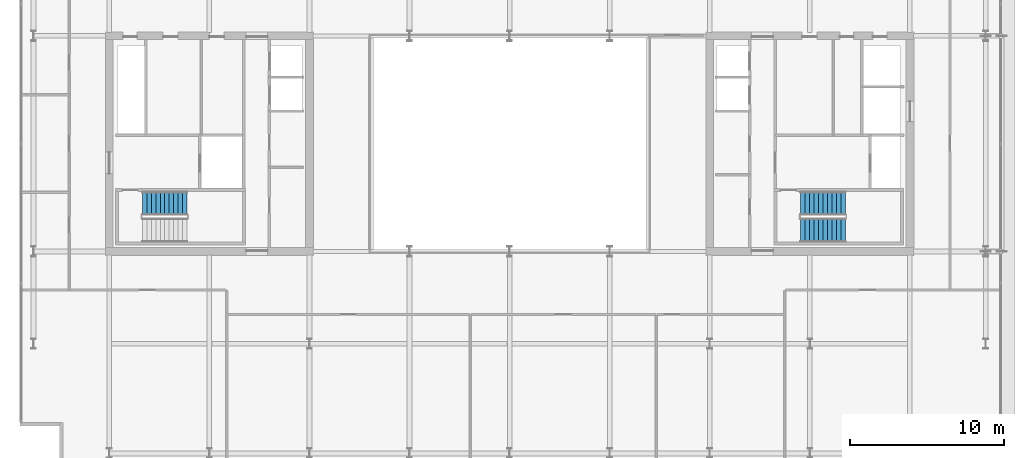
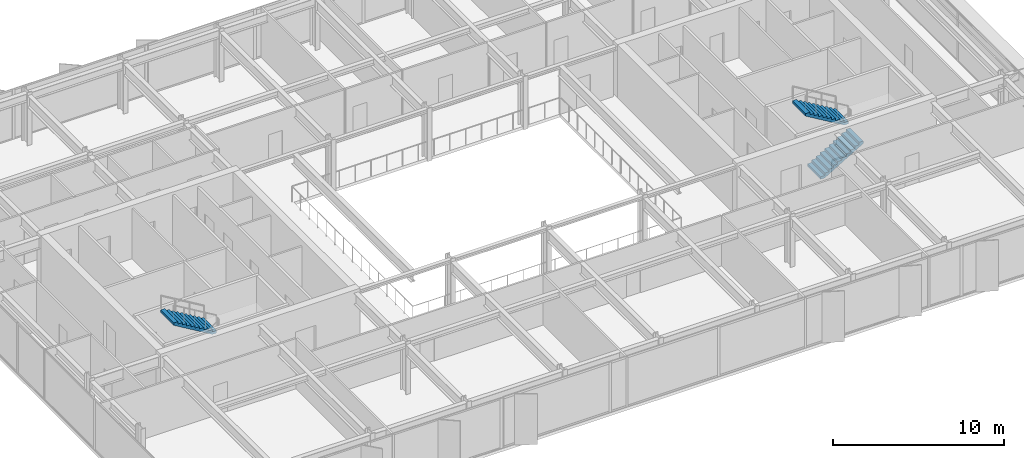
# One storey, part 15 of 19: 3 stair flights, 2 elements without a shape of their own.
"""IFC4 building model written with IfcOpenShell, lengths in metres."""

from ifc_helpers import new_model, si_unit, direction, frame, origin, place, context, subcontext, project, spatial, polyline, outline, extrude, material, type_object, element, aggregate, save


model = new_model("IFC4")

# Units and contexts
model_context = context("Model", 3, precision=1e-05, world=origin(), true_north=direction((0.0, 1.0)))
body_context = subcontext(model_context, "Body", "Model", "MODEL_VIEW")
ifc_project = project(units=[si_unit("LENGTHUNIT", "METRE"), si_unit("AREAUNIT", "SQUARE_METRE"), si_unit("VOLUMEUNIT", "CUBIC_METRE"), si_unit("PLANEANGLEUNIT", "RADIAN"), si_unit("MASSUNIT", "GRAM", prefix="KILO")], contexts=[model_context])

# Site, building, storey
site_placement = place(None, origin())
site = spatial("IfcSite", under=ifc_project, at=site_placement, CompositionType="ELEMENT")
building_placement = place(site_placement, origin())
building = spatial("IfcBuilding", under=site, at=building_placement, Name="Putna Gate Headquarters", CompositionType="ELEMENT")
storey_placement = place(building_placement, frame((0.0, 0.0, 263.199951171875)))
storey = spatial("IfcBuildingStorey", under=building, at=storey_placement, Name="L66", CompositionType="ELEMENT", Elevation=263.199951171875)

# Stair, stair flight
ifc_material = material(Name="Concrete C40/50", Category="concrete")
stair_type_1 = type_object("IfcStairType", Name="STAIR-ST1", PredefinedType="HALF_TURN_STAIR", material=ifc_material)
stair_1_placement = place(storey_placement, origin())
stair_1 = element("IfcStair", 1, at=stair_1_placement, inside=storey, type_object=stair_type_1, Name="L66 West Core Exit Stair ST1", PredefinedType="HALF_TURN_STAIR")
stair_flight_type_1 = type_object("IfcStairFlightType", Name="FLIGHT-ST1", PredefinedType="STRAIGHT", material=ifc_material)
stair_flight_1_placement = place(storey_placement, frame((18.050048828125, 22.125, 1.900146484375), z_axis=(0.0, 0.0, 1.0), x_axis=(-1.0, 0.0, 0.0)))
stair_flight_1 = element("IfcStairFlight", 2, at=stair_flight_1_placement, type_object=stair_flight_type_1, Name="ST1 flight 2", NumberOfRisers=11, NumberOfTreads=10, PredefinedType="STRAIGHT", RiserHeight=0.172727273, TreadLength=0.29, context=body_context, shape_type="SweptSolid", body=[
    extrude(outline(polyline([(0.0, 0.0), (0.0, 0.172607421875), (0.2900390625, 0.172607421875), (0.2900390625, 0.345458984375), (0.580078125, 0.345458984375), (0.580078125, 0.51806640625), (0.8701171875, 0.51806640625), (0.8701171875, 0.69091796875), (1.159912109375, 0.69091796875), (1.159912109375, 0.863525390625), (1.449951171875, 0.863525390625), (1.449951171875, 1.036376953125), (1.739990234375, 1.036376953125), (1.739990234375, 1.208984375), (2.030029296875, 1.208984375), (2.030029296875, 1.3818359375), (2.320068359375, 1.3818359375), (2.320068359375, 1.554443359375), (2.610107421875, 1.554443359375), (2.610107421875, 1.727294921875), (2.89990234375, 1.727294921875), (2.89990234375, 1.89990234375), (2.89990234375, 1.552734375), (0.29296875, 0.0), (0.0, 0.0)])), frame((0.0, 0.77490234375, 0.0), z_axis=(0.0, -1.0, 0.0), x_axis=(1.0, 0.0, 0.0)), (0.0, 0.0, 1.0), 1.550048828125),
])
aggregate(stair_1, [stair_flight_1])

# Stair, stair flights
stair_type_2 = type_object("IfcStairType", Name="STAIR-ST2", PredefinedType="HALF_TURN_STAIR", material=ifc_material)
stair_2_placement = place(storey_placement, origin())
stair_2 = element("IfcStair", 3, at=stair_2_placement, inside=storey, type_object=stair_type_2, Name="L66 East Core Exit Stair ST2", PredefinedType="HALF_TURN_STAIR")
stair_flight_type_2 = type_object("IfcStairFlightType", Name="FLIGHT-ST2", PredefinedType="STRAIGHT", material=ifc_material)
stair_flight_2_placement = place(storey_placement, frame((57.89990234375, 20.375, 0.0), z_axis=(0.0, 0.0, 1.0), x_axis=(1.0, 0.0, 0.0)))
stair_flight_2 = element("IfcStairFlight", 4, at=stair_flight_2_placement, type_object=stair_flight_type_2, Name="ST2 flight 1", NumberOfRisers=11, NumberOfTreads=10, PredefinedType="STRAIGHT", RiserHeight=0.172727273, TreadLength=0.29, context=body_context, shape_type="SweptSolid", body=[
    extrude(outline(polyline([(0.0, 0.0), (0.0, 0.172607421875), (0.2900390625, 0.172607421875), (0.2900390625, 0.345458984375), (0.580078125, 0.345458984375), (0.580078125, 0.51806640625), (0.8701171875, 0.51806640625), (0.8701171875, 0.69091796875), (1.159912109375, 0.69091796875), (1.159912109375, 0.863525390625), (1.449951171875, 0.863525390625), (1.449951171875, 1.036376953125), (1.739990234375, 1.036376953125), (1.739990234375, 1.208984375), (2.030029296875, 1.208984375), (2.030029296875, 1.3818359375), (2.320068359375, 1.3818359375), (2.320068359375, 1.554443359375), (2.610107421875, 1.554443359375), (2.610107421875, 1.727294921875), (2.89990234375, 1.727294921875), (2.89990234375, 1.89990234375), (2.89990234375, 1.552734375), (0.29296875, 0.0), (0.0, 0.0)])), frame((0.0, 0.77490234375, 0.0), z_axis=(0.0, -1.0, 0.0), x_axis=(1.0, 0.0, 0.0)), (0.0, 0.0, 1.0), 1.550048828125),
])
stair_flight_3_placement = place(storey_placement, frame((60.800048828125, 22.125, 1.900146484375), z_axis=(0.0, 0.0, 1.0), x_axis=(-1.0, 0.0, 0.0)))
stair_flight_3 = element("IfcStairFlight", 5, at=stair_flight_3_placement, type_object=stair_flight_type_2, Name="ST2 flight 2", NumberOfRisers=11, NumberOfTreads=10, PredefinedType="STRAIGHT", RiserHeight=0.172727273, TreadLength=0.29, context=body_context, shape_type="SweptSolid", body=[
    extrude(outline(polyline([(0.0, 0.0), (0.0, 0.172607421875), (0.2900390625, 0.172607421875), (0.2900390625, 0.345458984375), (0.580078125, 0.345458984375), (0.580078125, 0.51806640625), (0.8701171875, 0.51806640625), (0.8701171875, 0.69091796875), (1.159912109375, 0.69091796875), (1.159912109375, 0.863525390625), (1.449951171875, 0.863525390625), (1.449951171875, 1.036376953125), (1.739990234375, 1.036376953125), (1.739990234375, 1.208984375), (2.030029296875, 1.208984375), (2.030029296875, 1.3818359375), (2.320068359375, 1.3818359375), (2.320068359375, 1.554443359375), (2.610107421875, 1.554443359375), (2.610107421875, 1.727294921875), (2.89990234375, 1.727294921875), (2.89990234375, 1.89990234375), (2.89990234375, 1.552734375), (0.29296875, 0.0), (0.0, 0.0)])), frame((0.0, 0.77490234375, 0.0), z_axis=(0.0, -1.0, 0.0), x_axis=(1.0, 0.0, 0.0)), (0.0, 0.0, 1.0), 1.550048828125),
])
aggregate(stair_2, [stair_flight_2, stair_flight_3])

save(model, "model.ifc")
